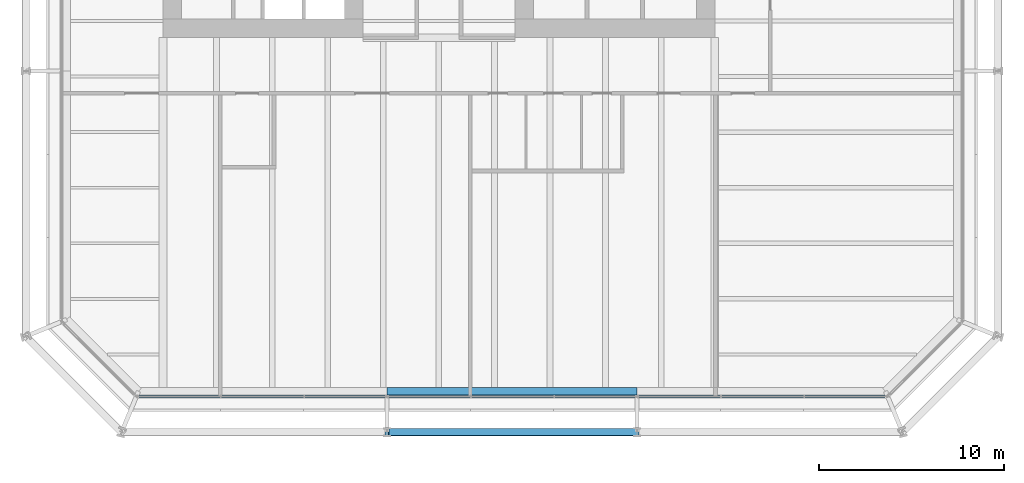
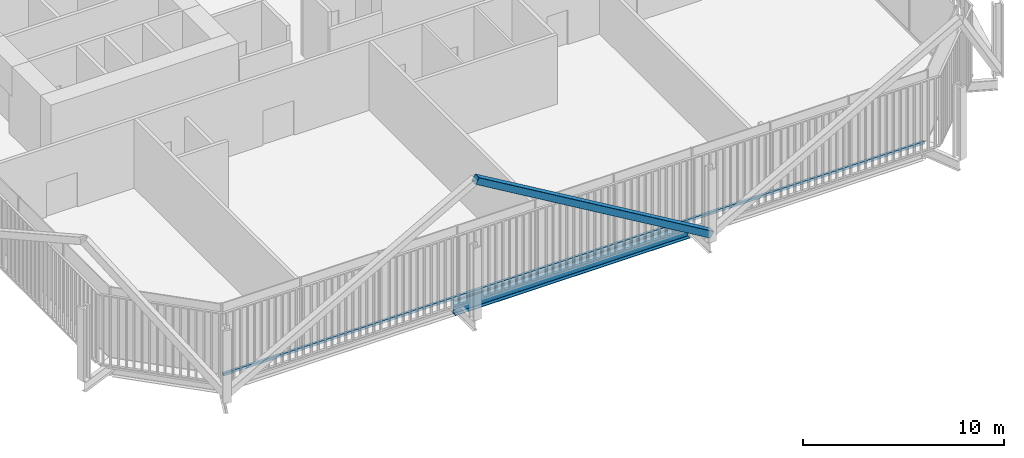
# One storey, part 3 of 21: 2 members, 1 beam, 1 element without a shape of its own.
"""IFC4 building model written with IfcOpenShell, lengths in metres."""

from ifc_helpers import new_model, si_unit, direction, frame, origin, origin_2d, place, context, subcontext, project, spatial, rectangle, hollow_rectangle, i_section, extrude, material, layer, layer_set, material_profile, profile_set, type_object, element, aggregate, save


model = new_model("IFC4")

# Units and contexts
model_context = context("Model", 3, precision=1e-05, world=origin(), true_north=direction((0.0, 1.0)))
body_context = subcontext(model_context, "Body", "Model", "MODEL_VIEW")
ifc_project = project(units=[si_unit("LENGTHUNIT", "METRE"), si_unit("AREAUNIT", "SQUARE_METRE"), si_unit("VOLUMEUNIT", "CUBIC_METRE"), si_unit("PLANEANGLEUNIT", "RADIAN"), si_unit("MASSUNIT", "GRAM", prefix="KILO")], contexts=[model_context])

# Site, building, storey
site_placement = place(None, origin())
site = spatial("IfcSite", under=ifc_project, at=site_placement, CompositionType="ELEMENT")
building_placement = place(site_placement, origin())
building = spatial("IfcBuilding", under=site, at=building_placement, Name="Millrace Tower", CompositionType="ELEMENT")
storey_placement = place(building_placement, frame((0.0, 0.0, 82.0)))
storey = spatial("IfcBuildingStorey", under=building, at=storey_placement, Name="L18", CompositionType="ELEMENT", Elevation=82.0)

# Curtain wall, member
ifc_material_1 = material(Name="Aluminium and glass", Category="aluminium")
ifc_layer = layer(ifc_material_1, 0.14990234375)
ifc_layer_set = layer_set([ifc_layer], Name="Aluminium and glass")
curtain_wall_type = type_object("IfcCurtainWallType", Name="CW-3 telecom floor curtain wall", PredefinedType="NOTDEFINED", material=ifc_layer_set)
curtain_wall_placement = place(storey_placement, origin())
curtain_wall = element("IfcCurtainWall", 1, at=curtain_wall_placement, inside=storey, type_object=curtain_wall_type, Name="Curtain wall B-F02 L18", PredefinedType="NOTDEFINED")
ifc_material_2 = material(Name="Aluminium", Category="aluminium")
ifc_material_profile_1 = material_profile(ifc_material_2, rectangle(XDim=0.14990234375, YDim=0.14990234375, at=origin_2d()))
ifc_profile_set_1 = profile_set([ifc_material_profile_1], Name="Aluminium")
member_type_1 = type_object("IfcMemberType", Name="CW-3 telecom floor curtain wall transom", PredefinedType="USERDEFINED", material=ifc_profile_set_1)
member_1_placement = place(storey_placement, frame((-16.199951171875, -29.27490234375, 0.074951171875), z_axis=(1.0, 0.0, 0.0), x_axis=(0.0, 1.0, 0.0)))
member_1 = element("IfcMember", 2, at=member_1_placement, type_object=member_type_1, Name="CW3 transom B-F02.1", ObjectType="TRANSOM", PredefinedType="USERDEFINED", context=body_context, shape_type="SweptSolid", body=[
    extrude(rectangle(XDim=0.14990234375, YDim=0.14990234375, at=origin_2d()), origin(), (0.0, 0.0, 1.0), 40.300048828125),
])
aggregate(curtain_wall, [member_1])

# Member
ifc_material_3 = material(Name="Steel ASTM A500 Grade C", Category="steel")
ifc_material_profile_2 = material_profile(ifc_material_3, hollow_rectangle(XDim=0.406494140625, YDim=0.406494140625, WallThickness=0.015869140625, InnerFilletRadius=0.008056640625, OuterFilletRadius=0.02392578125, at=origin_2d()))
ifc_profile_set_2 = profile_set([ifc_material_profile_2], Name="Steel ASTM A500 Grade C")
member_type_2 = type_object("IfcMemberType", Name="Exoskeleton brace HSS16x16x5/8", PredefinedType="BRACE", material=ifc_profile_set_2)
member_2_placement = place(storey_placement, frame((10.699951171875, -31.199951171875, 0.39990234375), z_axis=(-0.860291533634, 0.0, 0.509802390302), x_axis=(0.0, -1.0, 0.0)))
element("IfcMember", 3, at=member_2_placement, inside=storey, type_object=member_type_2, Name="BRC-B-L18-03", PredefinedType="BRACE", context=body_context, shape_type="SweptSolid", body=[
    extrude(hollow_rectangle(XDim=0.406494140625, YDim=0.406494140625, WallThickness=0.015869140625, InnerFilletRadius=0.008056640625, OuterFilletRadius=0.02392578125, at=origin_2d()), origin(), (0.0, 0.0, 1.0), 15.6923828125),
])

# Beam
ifc_material_4 = material(Name="Steel ASTM A992 Grade 50", Category="steel")
ifc_material_profile_3 = material_profile(ifc_material_4, i_section(OverallWidth=0.419189453125, OverallDepth=0.927001953125, WebThickness=0.019287109375, FlangeThickness=0.031982421875, FilletRadius=0.024169921875, at=origin_2d()))
ifc_profile_set_3 = profile_set([ifc_material_profile_3], Name="Steel ASTM A992 Grade 50")
beam_type = type_object("IfcBeamType", Name="Ring beam medium span W36x231", PredefinedType="SPANDREL", material=ifc_profile_set_3)
beam_placement = place(storey_placement, frame((10.699951171875, -28.990478515625, -0.66357421875), z_axis=(-1.0, 0.0, 0.0), x_axis=(0.0, -1.0, 0.0)))
element("IfcBeam", 4, at=beam_placement, inside=storey, type_object=beam_type, Name="RNG-B-L18-S1-14", PredefinedType="SPANDREL", context=body_context, shape_type="SweptSolid", body=[
    extrude(i_section(OverallWidth=0.419189453125, OverallDepth=0.927001953125, WebThickness=0.019287109375, FlangeThickness=0.031982421875, FilletRadius=0.024169921875, at=origin_2d()), origin(), (0.0, 0.0, 1.0), 13.5),
])

save(model, "model.ifc")
